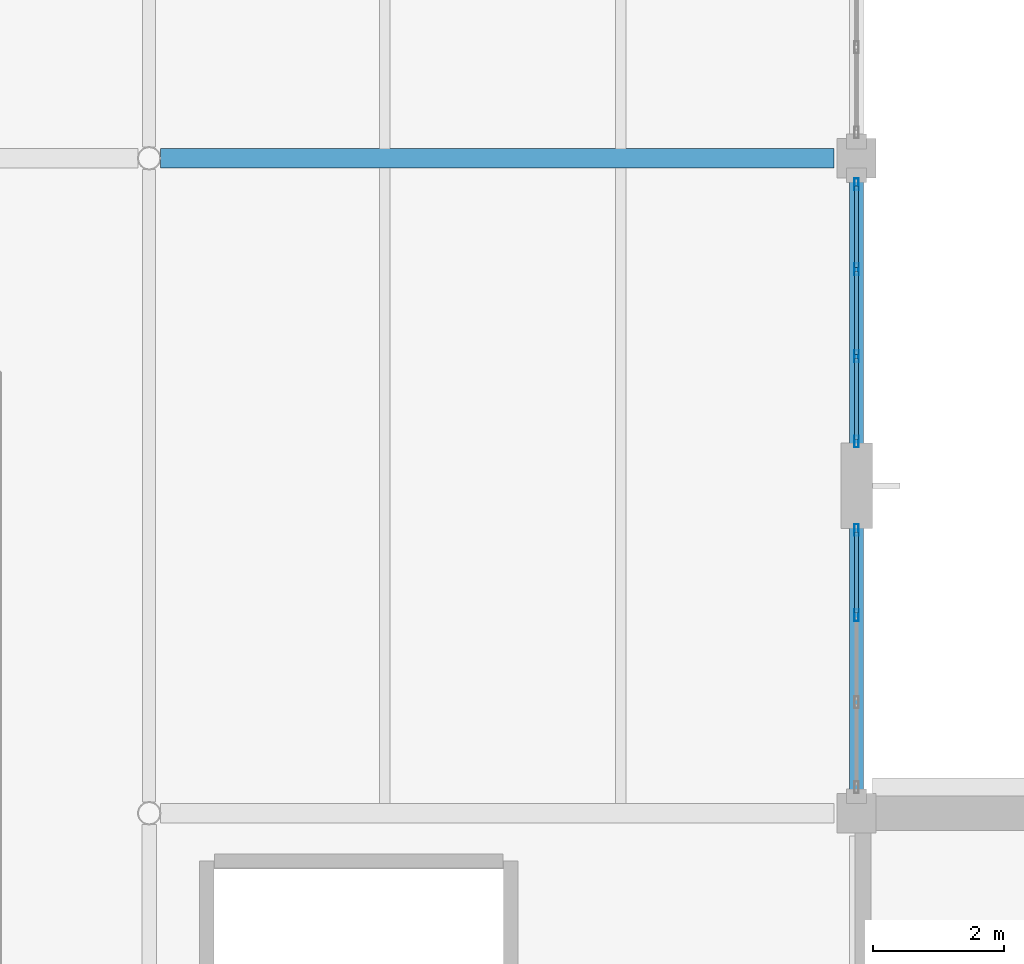
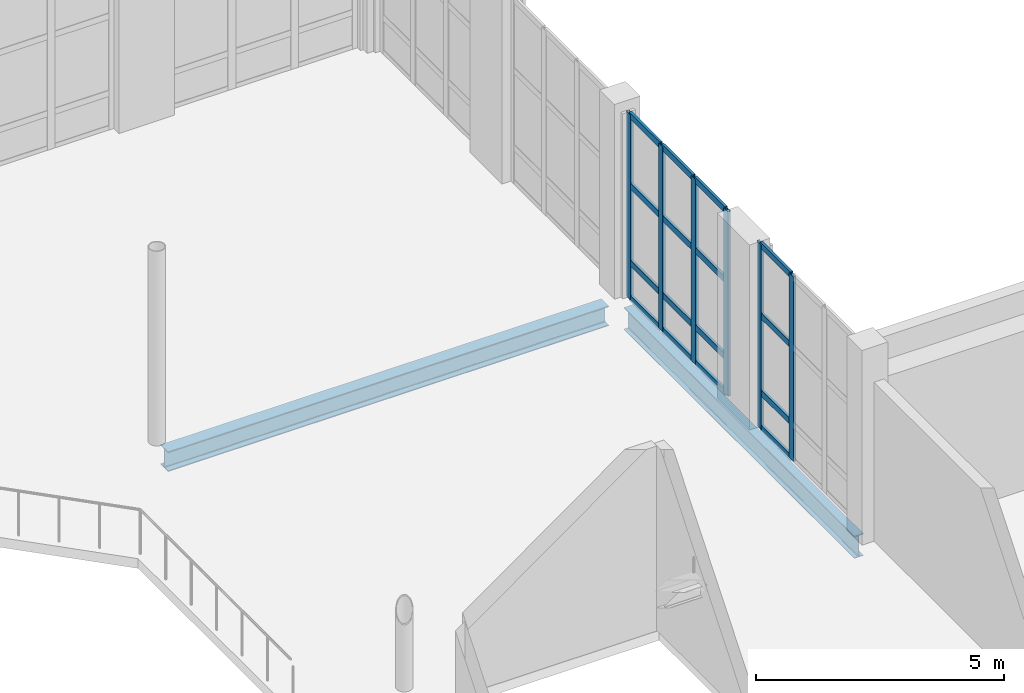
# One storey, part 51 of 100: 22 members, 2 beams, 2 elements without a shape of their own.
"""IFC4 building model written with IfcOpenShell, lengths in metres."""

import ifcopenshell
import ifcopenshell.guid

model = None  # the IFC model being written
_history = None  # IfcOwnerHistory: only IFC2X3 demands one
_inside = {}  # id of a spatial element -> (the spatial element, [elements in it])
_under = {}  # id of a project, library or spatial element -> (it, [spatial elements below it])
_declared = {}  # id of a project -> (the project, [libraries it declares])
_typed = {}  # id of a type object -> (the type object, [elements of that type])
_made_of = {}  # id of a material, layer set ... -> (it, [elements and type objects made of it])


def new_model(schema):
    """Start an empty IFC model of exactly this schema.

    Asked for "IFC4X3", IfcOpenShell would pick the latest addendum, in which some entities
    have other attributes; the version numbers below select the first issue.
    IFC2X3 requires an IfcOwnerHistory on every rooted entity: one is made here for all.
    """
    global model, _history
    if schema == "IFC4X3":
        model = ifcopenshell.file(schema_version=(4, 3, 0, 0))
    else:
        model = ifcopenshell.file(schema=schema)
    _inside.clear()
    _under.clear()
    _declared.clear()
    _typed.clear()
    _made_of.clear()
    _history = None
    if model.schema == "IFC2X3":
        org = make("IfcOrganization", Name="unknown")
        user = make(
            "IfcPersonAndOrganization",
            ThePerson=make("IfcPerson", FamilyName="unknown"),
            TheOrganization=org,
        )
        app = make(
            "IfcApplication",
            ApplicationDeveloper=org,
            Version="unknown",
            ApplicationFullName="unknown",
            ApplicationIdentifier="unknown",
        )
        _history = make(
            "IfcOwnerHistory",
            OwningUser=user,
            OwningApplication=app,
            ChangeAction="ADDED",
            CreationDate=0,
        )
    return model


def make(cls, **values):
    """One entity of the class cls with the attributes given. An attribute that is None is left unset."""
    return model.create_entity(
        cls, **{name: value for name, value in values.items() if value is not None}
    )


def rooted(cls, **values):
    """An entity with a GlobalId (a new one), such as an element, a storey or a relation."""
    return make(cls, GlobalId=ifcopenshell.guid.new(), OwnerHistory=_history, **values)


def si_unit(unit_type, name, prefix=None):
    """IfcSIUnit, for example si_unit("LENGTHUNIT", "METRE", prefix="MILLI")."""
    return make("IfcSIUnit", UnitType=unit_type, Prefix=prefix, Name=name)


def assignment(units):
    """IfcUnitAssignment: the units of a project."""
    return None if units is None else make("IfcUnitAssignment", Units=units)


def point(xyz):
    """IfcCartesianPoint."""
    return None if xyz is None else make("IfcCartesianPoint", Coordinates=xyz)


def direction(xyz):
    """IfcDirection."""
    return None if xyz is None else make("IfcDirection", DirectionRatios=xyz)


def frame(location, z_axis=None, x_axis=None):
    """IfcAxis2Placement3D, a coordinate frame: its origin and axes. An axis left out is left unset."""
    return make(
        "IfcAxis2Placement3D",
        Location=point(location),
        Axis=direction(z_axis),
        RefDirection=direction(x_axis),
    )


def frame_2d(location, x_axis=None):
    """IfcAxis2Placement2D, a coordinate frame in the plane: its origin and x axis."""
    return make(
        "IfcAxis2Placement2D", Location=point(location), RefDirection=direction(x_axis)
    )


def origin():
    """The frame at (0, 0, 0) with its axes left unset."""
    return frame((0.0, 0.0, 0.0))


def origin_2d():
    """The frame at (0, 0) in the plane with its x axis left unset."""
    return frame_2d((0.0, 0.0))


def place(relative_to, where):
    """IfcLocalPlacement: puts the frame where relative to a parent placement (None: the world)."""
    return make(
        "IfcLocalPlacement", PlacementRelTo=relative_to, RelativePlacement=where
    )


def context(
    kind, dimensions, precision=None, world=None, true_north=None, identifier=None
):
    """IfcGeometricRepresentationContext, for example the 3D "Model" context."""
    return make(
        "IfcGeometricRepresentationContext",
        ContextIdentifier=identifier,
        ContextType=kind,
        CoordinateSpaceDimension=dimensions,
        Precision=precision,
        WorldCoordinateSystem=world,
        TrueNorth=true_north,
    )


def subcontext(parent, identifier, kind, view, scale=None):
    """IfcGeometricRepresentationSubContext, for example "Body" below "Model"."""
    return make(
        "IfcGeometricRepresentationSubContext",
        ContextIdentifier=identifier,
        ContextType=kind,
        ParentContext=parent,
        TargetScale=scale,
        TargetView=view,
    )


def project(units=None, contexts=None):
    """IfcProject with its units and contexts."""
    return rooted(
        "IfcProject",
        Name="project",
        RepresentationContexts=contexts,
        UnitsInContext=assignment(units),
    )


def spatial(cls, under=None, at=None, **own):
    """A site, building, storey or space (cls), placed at a placement, below another one or the project."""
    s = rooted(cls, ObjectPlacement=at, **own)
    if under is not None:
        _under.setdefault(under.id(), (under, []))[1].append(s)
    return s


def profile(cls, at=None, kind="AREA", **sizes):
    """A parametric profile (cls). Its sizes go by their IFC names, for example OverallWidth=200.0."""
    return make(cls, ProfileType=kind, Position=at, **sizes)


def hollow_rectangle(**sizes):
    """IfcRectangleHollowProfileDef."""
    return profile("IfcRectangleHollowProfileDef", **sizes)


def i_section(**sizes):
    """IfcIShapeProfileDef."""
    return profile("IfcIShapeProfileDef", **sizes)


def extrude(swept, where, along, depth):
    """IfcExtrudedAreaSolid: the profile swept, set in the frame where, extruded along a direction by depth."""
    return make(
        "IfcExtrudedAreaSolid",
        SweptArea=swept,
        Position=where,
        ExtrudedDirection=direction(along),
        Depth=depth,
    )


def shape(context_of_items, identifier, shape_type, items):
    """IfcShapeRepresentation: the items that make up one representation, for example the "Body"."""
    return make(
        "IfcShapeRepresentation",
        ContextOfItems=context_of_items,
        RepresentationIdentifier=identifier,
        RepresentationType=shape_type,
        Items=items,
    )


def material(Name=None, Category=None):
    """IfcMaterial."""
    return make("IfcMaterial", Name=Name, Category=Category)


def layer(
    of_material, thickness, ventilated=None, Name=None, Category=None, Priority=None
):
    """IfcMaterialLayer: one layer of a wall or slab, of a material (None: an air gap)."""
    return make(
        "IfcMaterialLayer",
        Material=of_material,
        LayerThickness=thickness,
        IsVentilated=ventilated,
        Name=Name,
        Category=Category,
        Priority=Priority,
    )


def layer_set(layers, Name=None):
    """IfcMaterialLayerSet."""
    return make("IfcMaterialLayerSet", MaterialLayers=layers, LayerSetName=Name)


def material_profile(
    of_material, cross_section, Name=None, Category=None, Priority=None
):
    """IfcMaterialProfile: a cross section and its material."""
    return make(
        "IfcMaterialProfile",
        Name=Name,
        Material=of_material,
        Profile=cross_section,
        Priority=Priority,
        Category=Category,
    )


def profile_set(profiles, Name=None, composite=None):
    """IfcMaterialProfileSet."""
    return make(
        "IfcMaterialProfileSet",
        Name=Name,
        MaterialProfiles=profiles,
        CompositeProfile=composite,
    )


def made_of(thing, what):
    """Note that an element or type object is made of a material, layer set ...; save() writes the relation."""
    if what is not None:
        _made_of.setdefault(what.id(), (what, []))[1].append(thing)
    return thing


def type_object(cls, material=None, **own):
    """A type object (cls), such as IfcWallType, which elements share."""
    return made_of(rooted(cls, **own), material)


def element(
    cls,
    number,
    at=None,
    inside=None,
    cuts=None,
    type_object=None,
    material=None,
    context=None,
    identifier="Body",
    shape_type=None,
    held_by="IfcProductDefinitionShape",
    body=None,
    shapes=None,
    **own,
):
    """One element of the class cls, such as IfcWall. Its Tag is "e" and its number.

    at: its placement. inside: the storey or other place that contains it. cuts: it is an
    opening in that element (IfcRelVoidsElement). A single representation is given by context,
    identifier, shape_type and body (its items); several are given by shapes. held_by: the class
    of the entity that holds the representations. save() writes the other relations.
    """
    e = rooted(cls, Tag="e%d" % number, ObjectPlacement=at, **own)
    if body is not None:
        shapes = [shape(context, identifier, shape_type, body)]
    if shapes is not None:
        e.Representation = make(held_by, Representations=shapes)
    if inside is not None:
        _inside.setdefault(inside.id(), (inside, []))[1].append(e)
    if cuts is not None:
        rooted(
            "IfcRelVoidsElement", RelatingBuildingElement=cuts, RelatedOpeningElement=e
        )
    if type_object is not None:
        _typed.setdefault(type_object.id(), (type_object, []))[1].append(e)
    return made_of(e, material)


def aggregate(whole, parts):
    """IfcRelAggregates: a whole, such as a stair, and the parts it consists of."""
    return rooted("IfcRelAggregates", RelatingObject=whole, RelatedObjects=parts)


def save(model, path):
    """Write the relations noted so far, then the file.

    IfcRelAggregates (storeys below a building ...), IfcRelContainedInSpatialStructure (elements
    in a storey), IfcRelDefinesByType, IfcRelAssociatesMaterial and IfcRelDeclares: one each for
    every whole, place, type object, material and project.
    """
    for whole, parts in _under.values():
        aggregate(whole, parts)
    for where, things in _inside.values():
        rooted(
            "IfcRelContainedInSpatialStructure",
            RelatedElements=things,
            RelatingStructure=where,
        )
    for kind, things in _typed.values():
        rooted("IfcRelDefinesByType", RelatedObjects=things, RelatingType=kind)
    for what, things in _made_of.values():
        rooted("IfcRelAssociatesMaterial", RelatedObjects=things, RelatingMaterial=what)
    for by, libraries in _declared.values():
        rooted("IfcRelDeclares", RelatingContext=by, RelatedDefinitions=libraries)
    model.write(path)


model = new_model("IFC4")

# Units and contexts
model_context = context("Model", 3, precision=1e-05, world=origin(), true_north=direction((0.0, 1.0)))
body_context = subcontext(model_context, "Body", "Model", "MODEL_VIEW")
ifc_project = project(units=[si_unit("LENGTHUNIT", "METRE"), si_unit("AREAUNIT", "SQUARE_METRE"), si_unit("VOLUMEUNIT", "CUBIC_METRE"), si_unit("PLANEANGLEUNIT", "RADIAN"), si_unit("MASSUNIT", "GRAM", prefix="KILO")], contexts=[model_context])

# Site, building, storey
site_placement = place(None, origin())
site = spatial("IfcSite", under=ifc_project, at=site_placement, CompositionType="ELEMENT")
building_placement = place(site_placement, origin())
building = spatial("IfcBuilding", under=site, at=building_placement, Name="Tasgan Crest Museum", CompositionType="ELEMENT")
storey_placement = place(building_placement, frame((0.0, 0.0, 9.60009765625)))
storey = spatial("IfcBuildingStorey", under=building, at=storey_placement, Name="L02", CompositionType="ELEMENT", Elevation=9.60009765625)

# Beams
ifc_material_1 = material(Name="Steel S355J2", Category="steel")
ifc_material_profile_1 = material_profile(ifc_material_1, i_section(OverallWidth=0.300048828125, OverallDepth=0.489990234375, WebThickness=0.011962890625, FlangeThickness=0.02294921875, FilletRadius=0.027099609375, at=origin_2d()), Name="HEA 500")
ifc_profile_set_1 = profile_set([ifc_material_profile_1], Name="Steel S355J2")
beam_type_1 = type_object("IfcBeamType", Name="BM-G-HEA500", PredefinedType="BEAM", material=ifc_profile_set_1)
beam_1_placement = place(storey_placement, frame((97.373779296875, 72.0, -0.485107421875), z_axis=(1.0, 0.0, 0.0), x_axis=(0.0, 1.0, 0.0)))
element("IfcBeam", 1, at=beam_1_placement, inside=storey, type_object=beam_type_1, Name="Girder L02 H 97.2-108.0", PredefinedType="BEAM", context=body_context, shape_type="SweptSolid", body=[
    extrude(i_section(OverallWidth=0.300048828125, OverallDepth=0.489990234375, WebThickness=0.011962890625, FlangeThickness=0.02294921875, FilletRadius=0.027099609375, at=origin_2d()), origin(), (0.0, 0.0, 1.0), 10.2802734375),
])
ifc_material_2 = material(Name="Steel S355J2", Category="steel")
ifc_material_profile_2 = material_profile(ifc_material_2, i_section(OverallWidth=0.2099609375, OverallDepth=0.550048828125, WebThickness=0.010986328125, FlangeThickness=0.01708984375, FilletRadius=0.02392578125, at=origin_2d()), Name="IPE 550")
ifc_profile_set_2 = profile_set([ifc_material_profile_2], Name="Steel S355J2")
beam_type_2 = type_object("IfcBeamType", Name="BM-G-IPE550", PredefinedType="BEAM", material=ifc_profile_set_2)
beam_2_placement = place(storey_placement, frame((108.0, 62.344970703125, -0.51513671875), z_axis=(0.0, 1.0, 0.0), x_axis=(-1.0, 0.0, 0.0)))
element("IfcBeam", 2, at=beam_2_placement, inside=storey, type_object=beam_type_2, Name="Beam L02 11 62.0-72.0", PredefinedType="BEAM", context=body_context, shape_type="SweptSolid", body=[
    extrude(i_section(OverallWidth=0.2099609375, OverallDepth=0.550048828125, WebThickness=0.010986328125, FlangeThickness=0.01708984375, FilletRadius=0.02392578125, at=origin_2d()), origin(), (0.0, 0.0, 1.0), 9.31005859375),
])

# Curtain wall, members
ifc_material_3 = material(Name="Triple-Glazed Aluminium Curtain Wall", Category="aluminium")
ifc_layer = layer(ifc_material_3, 0.179931640625, Name="CW-DRUM-Y10-48")
ifc_layer_set = layer_set([ifc_layer], Name="Triple-Glazed Aluminium Curtain Wall")
curtain_wall_type = type_object("IfcCurtainWallType", Name="CW-DRUM-Y10-48", PredefinedType="NOTDEFINED", material=ifc_layer_set)
curtain_wall_1_placement = place(storey_placement, origin())
curtain_wall_1 = element("IfcCurtainWall", 3, at=curtain_wall_1_placement, inside=storey, type_object=curtain_wall_type, Name="Curtain wall L02 075", PredefinedType="NOTDEFINED")
ifc_material_4 = material(Name="Anodised Aluminium", Category="aluminium")
ifc_material_profile_3 = material_profile(ifc_material_4, hollow_rectangle(XDim=0.06494140625, YDim=0.179931640625, WallThickness=0.0048828125, at=origin_2d()), Name="ALU MULLION 180x65x5")
ifc_profile_set_3 = profile_set([ifc_material_profile_3], Name="Anodised Aluminium")
member_type_1 = type_object("IfcMemberType", Name="CW-MULLION-180", PredefinedType="MULLION", material=ifc_profile_set_3)
member_1_placement = place(storey_placement, frame((108.0, 65.02490234375, 0.0), z_axis=(0.0, 0.0, 1.0), x_axis=(-1.0, 0.0, 0.0)))
member_1 = element("IfcMember", 4, at=member_1_placement, type_object=member_type_1, Name="CW04 mullion 3", PredefinedType="MULLION", context=body_context, shape_type="SweptSolid", body=[
    extrude(hollow_rectangle(XDim=0.06494140625, YDim=0.179931640625, WallThickness=0.0048828125, at=origin_2d()), origin(), (0.0, 0.0, 1.0), 4.559814453125),
])
member_2_placement = place(storey_placement, frame((108.0, 66.324951171875, 0.0), z_axis=(0.0, 0.0, 1.0), x_axis=(-1.0, 0.0, 0.0)))
member_2 = element("IfcMember", 5, at=member_2_placement, type_object=member_type_1, Name="CW04 mullion 4", PredefinedType="MULLION", context=body_context, shape_type="SweptSolid", body=[
    extrude(hollow_rectangle(XDim=0.06494140625, YDim=0.179931640625, WallThickness=0.0048828125, at=origin_2d()), origin(), (0.0, 0.0, 1.0), 4.559814453125),
])

curtain_wall_2_placement = place(storey_placement, origin())
curtain_wall_2 = element("IfcCurtainWall", 6, at=curtain_wall_2_placement, inside=storey, type_object=curtain_wall_type, Name="Curtain wall L02 076", PredefinedType="NOTDEFINED")
member_3_placement = place(storey_placement, frame((108.0, 67.675048828125, 0.0), z_axis=(0.0, 0.0, 1.0), x_axis=(-1.0, 0.0, 0.0)))
member_3 = element("IfcMember", 7, at=member_3_placement, type_object=member_type_1, Name="CW04 mullion 1", PredefinedType="MULLION", context=body_context, shape_type="SweptSolid", body=[
    extrude(hollow_rectangle(XDim=0.06494140625, YDim=0.179931640625, WallThickness=0.0048828125, at=origin_2d()), origin(), (0.0, 0.0, 1.0), 4.559814453125),
])
member_4_placement = place(storey_placement, frame((108.0, 68.97509765625, 0.0), z_axis=(0.0, 0.0, 1.0), x_axis=(-1.0, 0.0, 0.0)))
member_4 = element("IfcMember", 8, at=member_4_placement, type_object=member_type_1, Name="CW04 mullion 2", PredefinedType="MULLION", context=body_context, shape_type="SweptSolid", body=[
    extrude(hollow_rectangle(XDim=0.06494140625, YDim=0.179931640625, WallThickness=0.0048828125, at=origin_2d()), origin(), (0.0, 0.0, 1.0), 4.559814453125),
])
member_5_placement = place(storey_placement, frame((108.0, 70.304931640625, 0.0), z_axis=(0.0, 0.0, 1.0), x_axis=(-1.0, 0.0, 0.0)))
member_5 = element("IfcMember", 9, at=member_5_placement, type_object=member_type_1, Name="CW04 mullion 3", PredefinedType="MULLION", context=body_context, shape_type="SweptSolid", body=[
    extrude(hollow_rectangle(XDim=0.06494140625, YDim=0.179931640625, WallThickness=0.0048828125, at=origin_2d()), origin(), (0.0, 0.0, 1.0), 4.559814453125),
])
member_6_placement = place(storey_placement, frame((108.0, 71.60498046875, 0.0), z_axis=(0.0, 0.0, 1.0), x_axis=(-1.0, 0.0, 0.0)))
member_6 = element("IfcMember", 10, at=member_6_placement, type_object=member_type_1, Name="CW04 mullion 4", PredefinedType="MULLION", context=body_context, shape_type="SweptSolid", body=[
    extrude(hollow_rectangle(XDim=0.06494140625, YDim=0.179931640625, WallThickness=0.0048828125, at=origin_2d()), origin(), (0.0, 0.0, 1.0), 4.559814453125),
])

# Member
ifc_material_5 = material(Name="Anodised Aluminium", Category="aluminium")
ifc_material_profile_4 = material_profile(ifc_material_5, hollow_rectangle(XDim=0.06005859375, YDim=0.14990234375, WallThickness=0.0048828125, at=origin_2d()), Name="ALU TRANSOM 150x60x5")
ifc_profile_set_4 = profile_set([ifc_material_profile_4], Name="Anodised Aluminium")
member_type_2 = type_object("IfcMemberType", Name="CW-TRANSOM-150", PredefinedType="USERDEFINED", material=ifc_profile_set_4)
member_7_placement = place(storey_placement, frame((108.0, 65.054931640625, 0.02978515625), z_axis=(0.0, 1.0, 0.0), x_axis=(-1.0, 0.0, 0.0)))
member_7 = element("IfcMember", 11, at=member_7_placement, type_object=member_type_2, Name="CW04 transom 3.1", ObjectType="TRANSOM", PredefinedType="USERDEFINED", context=body_context, shape_type="SweptSolid", body=[
    extrude(hollow_rectangle(XDim=0.06005859375, YDim=0.14990234375, WallThickness=0.0048828125, at=origin_2d()), origin(), (0.0, 0.0, 1.0), 1.239990234375),
])

member_8_placement = place(storey_placement, frame((108.0, 65.054931640625, 0.89990234375), z_axis=(0.0, 1.0, 0.0), x_axis=(-1.0, 0.0, 0.0)))
member_8 = element("IfcMember", 12, at=member_8_placement, type_object=member_type_2, Name="CW04 transom 3.2", ObjectType="TRANSOM", PredefinedType="USERDEFINED", context=body_context, shape_type="SweptSolid", body=[
    extrude(hollow_rectangle(XDim=0.06005859375, YDim=0.14990234375, WallThickness=0.0048828125, at=origin_2d()), origin(), (0.0, 0.0, 1.0), 1.239990234375),
])

member_9_placement = place(storey_placement, frame((108.0, 65.054931640625, 2.7998046875), z_axis=(0.0, 1.0, 0.0), x_axis=(-1.0, 0.0, 0.0)))
member_9 = element("IfcMember", 13, at=member_9_placement, type_object=member_type_2, Name="CW04 transom 3.3", ObjectType="TRANSOM", PredefinedType="USERDEFINED", context=body_context, shape_type="SweptSolid", body=[
    extrude(hollow_rectangle(XDim=0.06005859375, YDim=0.14990234375, WallThickness=0.0048828125, at=origin_2d()), origin(), (0.0, 0.0, 1.0), 1.239990234375),
])

member_10_placement = place(storey_placement, frame((108.0, 65.054931640625, 4.52978515625), z_axis=(0.0, 1.0, 0.0), x_axis=(-1.0, 0.0, 0.0)))
member_10 = element("IfcMember", 14, at=member_10_placement, type_object=member_type_2, Name="CW04 transom 3.4", ObjectType="TRANSOM", PredefinedType="USERDEFINED", context=body_context, shape_type="SweptSolid", body=[
    extrude(hollow_rectangle(XDim=0.06005859375, YDim=0.14990234375, WallThickness=0.0048828125, at=origin_2d()), origin(), (0.0, 0.0, 1.0), 1.239990234375),
])

aggregate(curtain_wall_1, [member_1, member_2, member_7, member_8, member_9, member_10])

member_11_placement = place(storey_placement, frame((108.0, 67.705078125, 0.02978515625), z_axis=(0.0, 1.0, 0.0), x_axis=(-1.0, 0.0, 0.0)))
member_11 = element("IfcMember", 15, at=member_11_placement, type_object=member_type_2, Name="CW04 transom 1.1", ObjectType="TRANSOM", PredefinedType="USERDEFINED", context=body_context, shape_type="SweptSolid", body=[
    extrude(hollow_rectangle(XDim=0.06005859375, YDim=0.14990234375, WallThickness=0.0048828125, at=origin_2d()), origin(), (0.0, 0.0, 1.0), 1.239990234375),
])

member_12_placement = place(storey_placement, frame((108.0, 67.705078125, 0.89990234375), z_axis=(0.0, 1.0, 0.0), x_axis=(-1.0, 0.0, 0.0)))
member_12 = element("IfcMember", 16, at=member_12_placement, type_object=member_type_2, Name="CW04 transom 1.2", ObjectType="TRANSOM", PredefinedType="USERDEFINED", context=body_context, shape_type="SweptSolid", body=[
    extrude(hollow_rectangle(XDim=0.06005859375, YDim=0.14990234375, WallThickness=0.0048828125, at=origin_2d()), origin(), (0.0, 0.0, 1.0), 1.239990234375),
])

member_13_placement = place(storey_placement, frame((108.0, 67.705078125, 2.7998046875), z_axis=(0.0, 1.0, 0.0), x_axis=(-1.0, 0.0, 0.0)))
member_13 = element("IfcMember", 17, at=member_13_placement, type_object=member_type_2, Name="CW04 transom 1.3", ObjectType="TRANSOM", PredefinedType="USERDEFINED", context=body_context, shape_type="SweptSolid", body=[
    extrude(hollow_rectangle(XDim=0.06005859375, YDim=0.14990234375, WallThickness=0.0048828125, at=origin_2d()), origin(), (0.0, 0.0, 1.0), 1.239990234375),
])

member_14_placement = place(storey_placement, frame((108.0, 67.705078125, 4.52978515625), z_axis=(0.0, 1.0, 0.0), x_axis=(-1.0, 0.0, 0.0)))
member_14 = element("IfcMember", 18, at=member_14_placement, type_object=member_type_2, Name="CW04 transom 1.4", ObjectType="TRANSOM", PredefinedType="USERDEFINED", context=body_context, shape_type="SweptSolid", body=[
    extrude(hollow_rectangle(XDim=0.06005859375, YDim=0.14990234375, WallThickness=0.0048828125, at=origin_2d()), origin(), (0.0, 0.0, 1.0), 1.239990234375),
])

member_15_placement = place(storey_placement, frame((108.0, 69.0048828125, 0.02978515625), z_axis=(0.0, 1.0, 0.0), x_axis=(-1.0, 0.0, 0.0)))
member_15 = element("IfcMember", 19, at=member_15_placement, type_object=member_type_2, Name="CW04 transom 2.1", ObjectType="TRANSOM", PredefinedType="USERDEFINED", context=body_context, shape_type="SweptSolid", body=[
    extrude(hollow_rectangle(XDim=0.06005859375, YDim=0.14990234375, WallThickness=0.0048828125, at=origin_2d()), origin(), (0.0, 0.0, 1.0), 1.27001953125),
])

member_16_placement = place(storey_placement, frame((108.0, 69.0048828125, 0.89990234375), z_axis=(0.0, 1.0, 0.0), x_axis=(-1.0, 0.0, 0.0)))
member_16 = element("IfcMember", 20, at=member_16_placement, type_object=member_type_2, Name="CW04 transom 2.2", ObjectType="TRANSOM", PredefinedType="USERDEFINED", context=body_context, shape_type="SweptSolid", body=[
    extrude(hollow_rectangle(XDim=0.06005859375, YDim=0.14990234375, WallThickness=0.0048828125, at=origin_2d()), origin(), (0.0, 0.0, 1.0), 1.27001953125),
])

member_17_placement = place(storey_placement, frame((108.0, 69.0048828125, 2.7998046875), z_axis=(0.0, 1.0, 0.0), x_axis=(-1.0, 0.0, 0.0)))
member_17 = element("IfcMember", 21, at=member_17_placement, type_object=member_type_2, Name="CW04 transom 2.3", ObjectType="TRANSOM", PredefinedType="USERDEFINED", context=body_context, shape_type="SweptSolid", body=[
    extrude(hollow_rectangle(XDim=0.06005859375, YDim=0.14990234375, WallThickness=0.0048828125, at=origin_2d()), origin(), (0.0, 0.0, 1.0), 1.27001953125),
])

member_18_placement = place(storey_placement, frame((108.0, 69.0048828125, 4.52978515625), z_axis=(0.0, 1.0, 0.0), x_axis=(-1.0, 0.0, 0.0)))
member_18 = element("IfcMember", 22, at=member_18_placement, type_object=member_type_2, Name="CW04 transom 2.4", ObjectType="TRANSOM", PredefinedType="USERDEFINED", context=body_context, shape_type="SweptSolid", body=[
    extrude(hollow_rectangle(XDim=0.06005859375, YDim=0.14990234375, WallThickness=0.0048828125, at=origin_2d()), origin(), (0.0, 0.0, 1.0), 1.27001953125),
])

member_19_placement = place(storey_placement, frame((108.0, 70.3349609375, 0.02978515625), z_axis=(0.0, 1.0, 0.0), x_axis=(-1.0, 0.0, 0.0)))
member_19 = element("IfcMember", 23, at=member_19_placement, type_object=member_type_2, Name="CW04 transom 3.1", ObjectType="TRANSOM", PredefinedType="USERDEFINED", context=body_context, shape_type="SweptSolid", body=[
    extrude(hollow_rectangle(XDim=0.06005859375, YDim=0.14990234375, WallThickness=0.0048828125, at=origin_2d()), origin(), (0.0, 0.0, 1.0), 1.239990234375),
])

member_20_placement = place(storey_placement, frame((108.0, 70.3349609375, 0.89990234375), z_axis=(0.0, 1.0, 0.0), x_axis=(-1.0, 0.0, 0.0)))
member_20 = element("IfcMember", 24, at=member_20_placement, type_object=member_type_2, Name="CW04 transom 3.2", ObjectType="TRANSOM", PredefinedType="USERDEFINED", context=body_context, shape_type="SweptSolid", body=[
    extrude(hollow_rectangle(XDim=0.06005859375, YDim=0.14990234375, WallThickness=0.0048828125, at=origin_2d()), origin(), (0.0, 0.0, 1.0), 1.239990234375),
])

member_21_placement = place(storey_placement, frame((108.0, 70.3349609375, 2.7998046875), z_axis=(0.0, 1.0, 0.0), x_axis=(-1.0, 0.0, 0.0)))
member_21 = element("IfcMember", 25, at=member_21_placement, type_object=member_type_2, Name="CW04 transom 3.3", ObjectType="TRANSOM", PredefinedType="USERDEFINED", context=body_context, shape_type="SweptSolid", body=[
    extrude(hollow_rectangle(XDim=0.06005859375, YDim=0.14990234375, WallThickness=0.0048828125, at=origin_2d()), origin(), (0.0, 0.0, 1.0), 1.239990234375),
])

member_22_placement = place(storey_placement, frame((108.0, 70.3349609375, 4.52978515625), z_axis=(0.0, 1.0, 0.0), x_axis=(-1.0, 0.0, 0.0)))
member_22 = element("IfcMember", 26, at=member_22_placement, type_object=member_type_2, Name="CW04 transom 3.4", ObjectType="TRANSOM", PredefinedType="USERDEFINED", context=body_context, shape_type="SweptSolid", body=[
    extrude(hollow_rectangle(XDim=0.06005859375, YDim=0.14990234375, WallThickness=0.0048828125, at=origin_2d()), origin(), (0.0, 0.0, 1.0), 1.239990234375),
])

aggregate(curtain_wall_2, [member_3, member_4, member_5, member_6, member_11, member_12, member_13, member_14, member_15, member_16, member_17, member_18, member_19, member_20, member_21, member_22])

save(model, "model.ifc")
